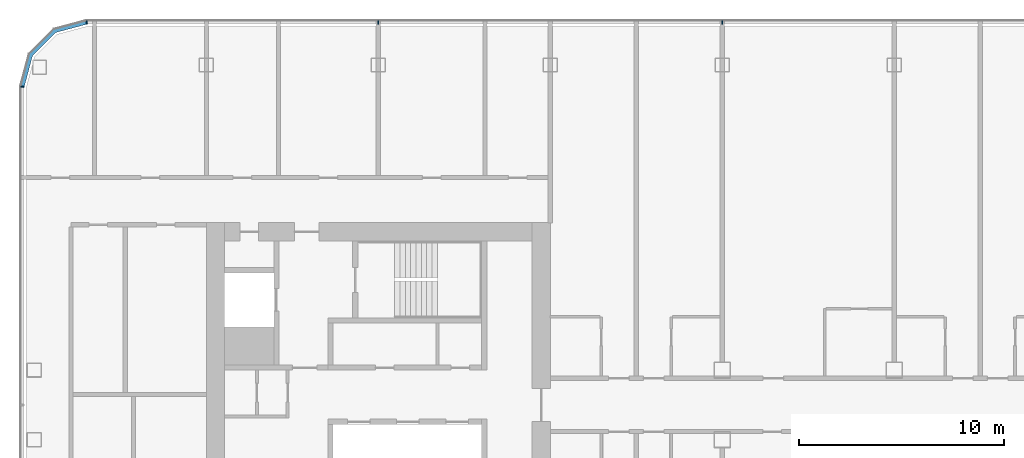
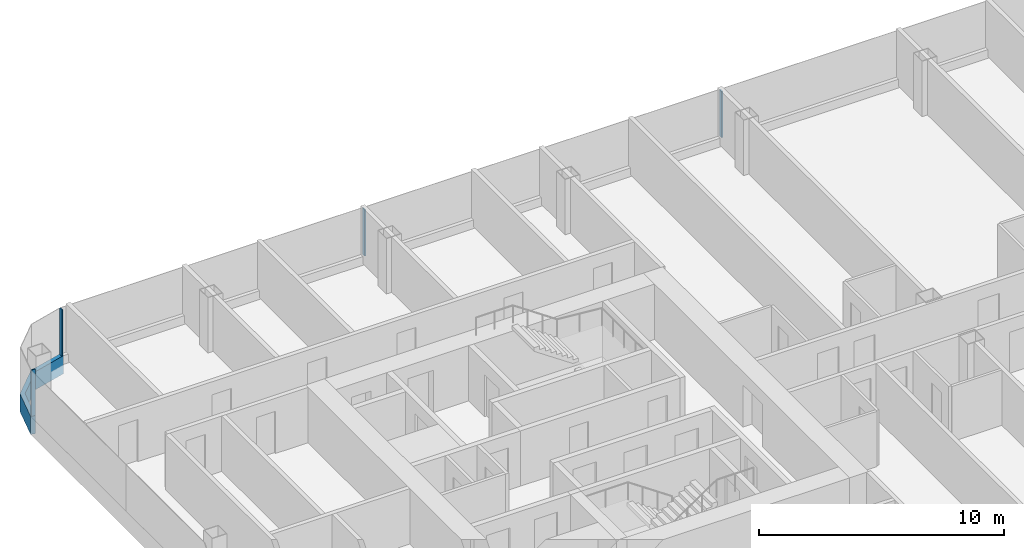
# One storey, part 6 of 26: 5 members, 3 elements without a shape of their own.
"""IFC4 building model written with IfcOpenShell, lengths in metres."""

from ifc_helpers import new_model, si_unit, direction, frame, origin, origin_2d, place, context, subcontext, project, spatial, polyline, rectangle, outline, extrude, material, layer, layer_set, material_profile, profile_set, type_object, element, aggregate, save


model = new_model("IFC4")

# Units and contexts
model_context = context("Model", 3, precision=1e-05, world=origin(), true_north=direction((0.0, 1.0)))
body_context = subcontext(model_context, "Body", "Model", "MODEL_VIEW")
ifc_project = project(units=[si_unit("LENGTHUNIT", "METRE"), si_unit("AREAUNIT", "SQUARE_METRE"), si_unit("VOLUMEUNIT", "CUBIC_METRE"), si_unit("PLANEANGLEUNIT", "RADIAN"), si_unit("MASSUNIT", "GRAM", prefix="KILO")], contexts=[model_context])

# Site, building, storey
site_placement = place(None, origin())
site = spatial("IfcSite", under=ifc_project, at=site_placement, CompositionType="ELEMENT")
building_placement = place(site_placement, origin())
building = spatial("IfcBuilding", under=site, at=building_placement, Name="Hakoniwa Tower and Hamabe Station Hall", CompositionType="ELEMENT")
storey_placement = place(building_placement, frame((0.0, 0.0, 156.60009765625)))
storey = spatial("IfcBuildingStorey", under=building, at=storey_placement, Name="L44", CompositionType="ELEMENT", Elevation=156.60009765625)

# Curtain wall, member
ifc_material_1 = material(Name="Dark low-e laminated glass", Category="glass")
ifc_layer = layer(ifc_material_1, 0.199951171875)
ifc_layer_set = layer_set([ifc_layer], Name="CW-1 UNITISED GUEST")
curtain_wall_type = type_object("IfcCurtainWallType", Name="CW-1 UNITISED GUEST", PredefinedType="NOTDEFINED", material=ifc_layer_set)
curtain_wall_1_placement = place(storey_placement, origin())
curtain_wall_1 = element("IfcCurtainWall", 1, at=curtain_wall_1_placement, inside=storey, type_object=curtain_wall_type, Name="CW-1 curtain wall", PredefinedType="NOTDEFINED")
ifc_material_2 = material(Name="Aluminium 6063-T5 black anodised", Category="aluminium")
ifc_material_profile_1 = material_profile(ifc_material_2, rectangle(XDim=0.199951171875, YDim=0.89990234375, at=origin_2d()), Name="CW SLAB-EDGE BAND 900X200")
ifc_profile_set_1 = profile_set([ifc_material_profile_1], Name="Aluminium 6063-T5 black anodised")
member_type_1 = type_object("IfcMemberType", Name="CW SLAB-EDGE BAND 900X200", PredefinedType="USERDEFINED", material=ifc_profile_set_1)
member_1_placement = place(storey_placement, frame((0.0, 0.0, -0.550048828125)))
member_1 = element("IfcMember", 2, at=member_1_placement, type_object=member_type_1, Name="CW-1 transom", ObjectType="TRANSOM", PredefinedType="USERDEFINED", context=body_context, shape_type="SweptSolid", body=[
    extrude(outline(polyline([(-39.439453125, 18.300048828125), (-41.05517578125, 17.866943359375), (-42.26708984375, 16.6552734375), (-42.699951171875, 15.03955078125), (-42.5068359375, 14.98779296875), (-42.087646484375, 16.5517578125), (-40.95166015625, 17.687744140625), (-39.3876953125, 18.10693359375), (-39.439453125, 18.300048828125)])), origin(), (0.0, 0.0, 1.0), 0.89990234375),
])
aggregate(curtain_wall_1, [member_1])

# Curtain wall, members
curtain_wall_2_placement = place(storey_placement, origin())
curtain_wall_2 = element("IfcCurtainWall", 3, at=curtain_wall_2_placement, inside=storey, type_object=curtain_wall_type, Name="CW-1 curtain wall", PredefinedType="NOTDEFINED")
ifc_material_3 = material(Name="Aluminium 6063-T5 black anodised", Category="aluminium")
ifc_material_profile_2 = material_profile(ifc_material_3, rectangle(XDim=0.06005859375, YDim=0.179931640625, at=origin_2d()), Name="CW-1 MULLION 60X180")
ifc_profile_set_2 = profile_set([ifc_material_profile_2], Name="Aluminium 6063-T5 black anodised")
member_type_2 = type_object("IfcMemberType", Name="CW-1 MULLION 60X180", PredefinedType="MULLION", material=ifc_profile_set_2)
member_2_placement = place(storey_placement, frame((-8.39990234375, 18.181884765625, 0.349853515625), z_axis=(0.0, 0.0, 1.0), x_axis=(-1.0, 0.0, 0.0)))
member_2 = element("IfcMember", 4, at=member_2_placement, type_object=member_type_2, Name="CW-1 mullion", PredefinedType="MULLION", context=body_context, shape_type="SweptSolid", body=[
    extrude(rectangle(XDim=0.06005859375, YDim=0.179931640625, at=origin_2d()), origin(), (0.0, 0.0, 1.0), 2.300048828125),
])
member_3_placement = place(storey_placement, frame((-25.199951171875, 18.181884765625, 0.349853515625), z_axis=(0.0, 0.0, 1.0), x_axis=(-1.0, 0.0, 0.0)))
member_3 = element("IfcMember", 5, at=member_3_placement, type_object=member_type_2, Name="CW-1 mullion", PredefinedType="MULLION", context=body_context, shape_type="SweptSolid", body=[
    extrude(rectangle(XDim=0.06005859375, YDim=0.179931640625, at=origin_2d()), origin(), (0.0, 0.0, 1.0), 2.300048828125),
])
member_4_placement = place(storey_placement, frame((-39.439453125, 18.181884765625, 0.349853515625), z_axis=(0.0, 0.0, 1.0), x_axis=(-1.0, 0.0, 0.0)))
member_4 = element("IfcMember", 6, at=member_4_placement, type_object=member_type_2, Name="CW-1 mullion", PredefinedType="MULLION", context=body_context, shape_type="SweptSolid", body=[
    extrude(rectangle(XDim=0.06005859375, YDim=0.179931640625, at=origin_2d()), origin(), (0.0, 0.0, 1.0), 2.300048828125),
])
aggregate(curtain_wall_2, [member_2, member_3, member_4])

# Curtain wall, member
curtain_wall_3_placement = place(storey_placement, origin())
curtain_wall_3 = element("IfcCurtainWall", 7, at=curtain_wall_3_placement, inside=storey, type_object=curtain_wall_type, Name="CW-1 curtain wall", PredefinedType="NOTDEFINED")
member_5_placement = place(storey_placement, frame((-42.58203125, 15.03955078125, 0.349853515625), z_axis=(0.0, 0.0, 1.0), x_axis=(0.0, -1.0, 0.0)))
member_5 = element("IfcMember", 8, at=member_5_placement, type_object=member_type_2, Name="CW-1 mullion", PredefinedType="MULLION", context=body_context, shape_type="SweptSolid", body=[
    extrude(rectangle(XDim=0.06005859375, YDim=0.179931640625, at=origin_2d()), origin(), (0.0, 0.0, 1.0), 2.300048828125),
])
aggregate(curtain_wall_3, [member_5])

save(model, "model.ifc")
